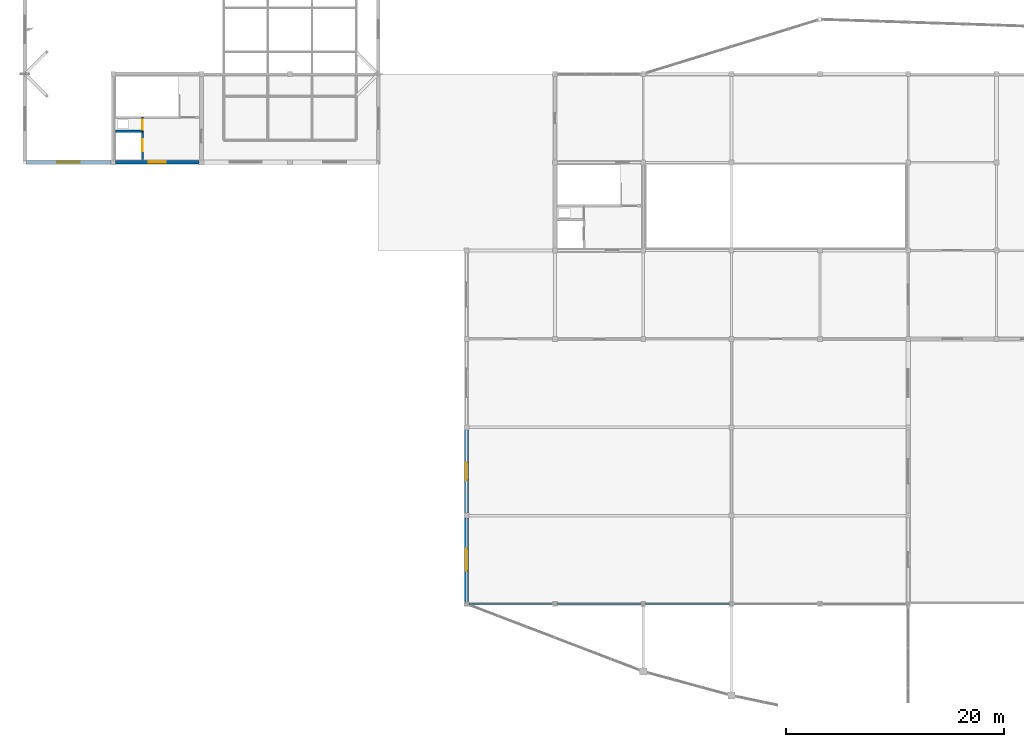
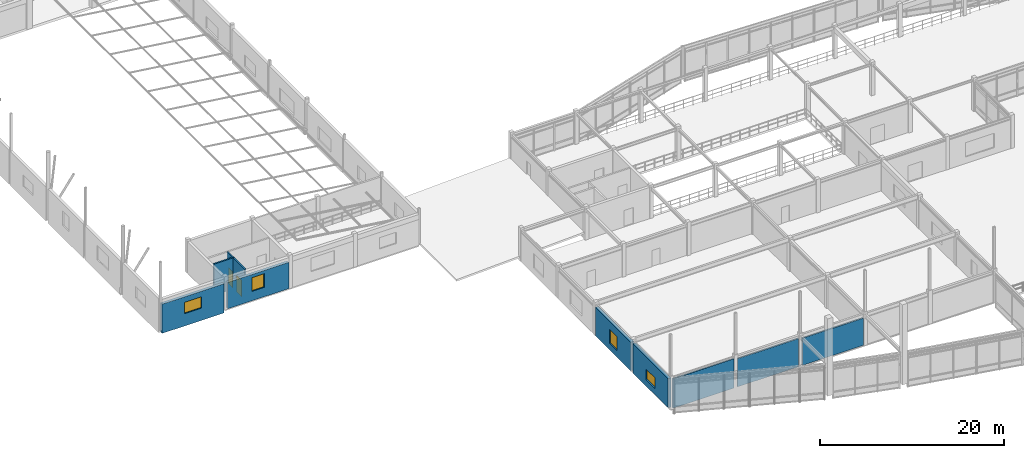
# One storey, part 63 of 89: 10 walls, 4 windows, 2 doors, 6 openings.
"""IFC4 building model written with IfcOpenShell, lengths in metres."""

from ifc_helpers import new_model, si_unit, direction, frame, frame_2d, origin, place, context, subcontext, project, spatial, rectangle, extrude, material, layer, layer_set, type_object, element, fill, save


model = new_model("IFC4")

# Units and contexts
model_context = context("Model", 3, precision=1e-05, world=origin(), true_north=direction((0.0, 1.0)))
body_context = subcontext(model_context, "Body", "Model", "MODEL_VIEW")
ifc_project = project(units=[si_unit("LENGTHUNIT", "METRE"), si_unit("AREAUNIT", "SQUARE_METRE"), si_unit("VOLUMEUNIT", "CUBIC_METRE"), si_unit("PLANEANGLEUNIT", "RADIAN"), si_unit("MASSUNIT", "GRAM", prefix="KILO")], contexts=[model_context])

# Site, building, storey
site_placement = place(None, origin())
site = spatial("IfcSite", under=ifc_project, at=site_placement, CompositionType="ELEMENT")
building_placement = place(site_placement, origin())
building = spatial("IfcBuilding", under=site, at=building_placement, Name="Vaudrelin Polytechnic", CompositionType="ELEMENT")
storey_placement = place(building_placement, frame((0.0, 0.0, 9.68994140625)))
storey = spatial("IfcBuildingStorey", under=building, at=storey_placement, Name="L02", CompositionType="ELEMENT", Elevation=9.68994140625)

# Wall, opening, window
ifc_material_1 = material(Name="Insulated precast concrete sandwich panel 40 MPa", Category="concrete")
ifc_layer_1 = layer(ifc_material_1, 0.340087890625)
ifc_layer_set_1 = layer_set([ifc_layer_1], Name="Insulated precast concrete sandwich panel 40 MPa")
wall_type_1 = type_object("IfcWallType", Name="WAL-EW-IND340", PredefinedType="STANDARD", material=ifc_layer_set_1)
wall_1_placement = place(storey_placement, frame((0.125, 40.5, -0.3798828125), z_axis=(0.0, 0.0, 1.0), x_axis=(1.0, 0.0, 0.0)))
wall_1 = element("IfcWall", 1, at=wall_1_placement, inside=storey, type_object=wall_type_1, Name="Exterior wall L02 S_V1_00", PredefinedType="STANDARD", context=body_context, shape_type="SweptSolid", body=[
    extrude(rectangle(XDim=7.751953125, YDim=0.340087890625, at=frame_2d((3.8759765625, 0.0))), origin(), (0.0, 0.0, 1.0), 3.85986328125),
])
opening_1_placement = place(wall_1_placement, frame((2.825927734375, 0.0, 1.6298828125)))
opening_1 = element("IfcOpeningElement", 2, at=opening_1_placement, cuts=wall_1, Name="Opening W-L02-S-V1-01", PredefinedType="OPENING", context=body_context, shape_type="SweptSolid", body=[
    extrude(rectangle(XDim=2.10009765625, YDim=1.5, at=frame_2d((1.050048828125, 0.75))), frame((0.0, 0.18017578125, 0.0), z_axis=(0.0, -1.0, 0.0), x_axis=(1.0, 0.0, 0.0)), (0.0, 0.0, 1.0), 0.360107421875),
])
ifc_material_2 = material(Name="Thermally broken aluminium frame with triple low-e glazing", Category="aluminium")
window_type_1 = type_object("IfcWindowType", Name="WIN-WN-05", PartitioningType="SINGLE_PANEL", PredefinedType="WINDOW", material=ifc_material_2)
window_1_placement = place(opening_1_placement, origin())
window_1 = element("IfcWindow", 3, at=window_1_placement, inside=storey, type_object=window_type_1, Name="Facade window L02-S_V1_00", OverallHeight=1.5, OverallWidth=2.10009765625, PartitioningType="SINGLE_PANEL", PredefinedType="WINDOW", context=body_context, shape_type="SweptSolid", body=[
    extrude(rectangle(XDim=2.10009765625, YDim=1.5, at=frame_2d((1.050048828125, 0.75))), frame((0.0, 0.030029296875, 0.0), z_axis=(0.0, -1.0, 0.0), x_axis=(1.0, 0.0, 0.0)), (0.0, 0.0, 1.0), 0.06005859375),
])
fill(opening_1, window_1)

wall_2_placement = place(storey_placement, frame((8.322998046875, 40.5, 0.0), z_axis=(0.0, 0.0, 1.0), x_axis=(1.0, 0.0, 0.0)))
wall_2 = element("IfcWall", 4, at=wall_2_placement, inside=storey, type_object=wall_type_1, Name="Exterior wall L02 S_V1_01", PredefinedType="STANDARD", context=body_context, shape_type="SweptSolid", body=[
    extrude(rectangle(XDim=7.654052734375, YDim=0.340087890625, at=frame_2d((3.8271484375, 0.0))), origin(), (0.0, 0.0, 1.0), 3.47998046875),
])
opening_2_placement = place(wall_2_placement, frame((3.052001953125, 0.0, 1.25)))
opening_2 = element("IfcOpeningElement", 5, at=opening_2_placement, cuts=wall_2, Name="Opening W-L02-S-V1-02", PredefinedType="OPENING", context=body_context, shape_type="SweptSolid", body=[
    extrude(rectangle(XDim=1.550048828125, YDim=1.800048828125, at=frame_2d((0.77490234375, 0.89990234375))), frame((0.0, 0.18017578125, 0.0), z_axis=(0.0, -1.0, 0.0), x_axis=(1.0, 0.0, 0.0)), (0.0, 0.0, 1.0), 0.360107421875),
])
window_type_2 = type_object("IfcWindowType", Name="WIN-WN-34", PartitioningType="SINGLE_PANEL", PredefinedType="WINDOW", material=ifc_material_2)
window_2_placement = place(opening_2_placement, origin())
window_2 = element("IfcWindow", 6, at=window_2_placement, inside=storey, type_object=window_type_2, Name="Facade window L02-S_V1_01", OverallHeight=1.800048828125, OverallWidth=1.550048828125, PartitioningType="SINGLE_PANEL", PredefinedType="WINDOW", context=body_context, shape_type="SweptSolid", body=[
    extrude(rectangle(XDim=1.550048828125, YDim=1.800048828125, at=frame_2d((0.77490234375, 0.89990234375))), frame((0.0, 0.030029296875, 0.0), z_axis=(0.0, -1.0, 0.0), x_axis=(1.0, 0.0, 0.0)), (0.0, 0.0, 1.0), 0.06005859375),
])
fill(opening_2, window_2)

ifc_material_3 = material(Name="Architectural ribbed precast concrete 40 MPa", Category="concrete")
ifc_layer_2 = layer(ifc_material_3, 0.3798828125)
ifc_layer_set_2 = layer_set([ifc_layer_2], Name="Architectural ribbed precast concrete 40 MPa")
wall_type_2 = type_object("IfcWallType", Name="WAL-EW-PREC380", PredefinedType="STANDARD", material=ifc_layer_set_2)
wall_3_placement = place(storey_placement, frame((40.5, 0.222900390625, 0.0), z_axis=(0.0, 0.0, 1.0), x_axis=(0.0, 1.0, 0.0)))
wall_3 = element("IfcWall", 7, at=wall_3_placement, inside=storey, type_object=wall_type_2, Name="Exterior wall L02 W_V2_00", PredefinedType="STANDARD", context=body_context, shape_type="SweptSolid", body=[
    extrude(rectangle(XDim=7.654052734375, YDim=0.3798828125, at=frame_2d((3.8271484375, 0.0))), origin(), (0.0, 0.0, 1.0), 3.8759765625),
])
opening_3_placement = place(wall_3_placement, frame((2.826904296875, 0.0, 0.85009765625)))
opening_3 = element("IfcOpeningElement", 8, at=opening_3_placement, cuts=wall_3, Name="Opening W-L02-W-V2-01", PredefinedType="OPENING", context=body_context, shape_type="SweptSolid", body=[
    extrude(rectangle(XDim=2.0, YDim=1.39990234375, at=frame_2d((1.0, 0.699951171875))), frame((0.0, 0.199951171875, 0.0), z_axis=(0.0, -1.0, 0.0), x_axis=(1.0, 0.0, 0.0)), (0.0, 0.0, 1.0), 0.39990234375),
])
window_type_3 = type_object("IfcWindowType", Name="WIN-WN-10", PartitioningType="SINGLE_PANEL", PredefinedType="WINDOW", material=ifc_material_2)
window_3_placement = place(opening_3_placement, origin())
window_3 = element("IfcWindow", 9, at=window_3_placement, inside=storey, type_object=window_type_3, Name="Facade window L02-W_V2_00", OverallHeight=1.39990234375, OverallWidth=2.0, PartitioningType="SINGLE_PANEL", PredefinedType="WINDOW", context=body_context, shape_type="SweptSolid", body=[
    extrude(rectangle(XDim=2.0, YDim=1.39990234375, at=frame_2d((1.0, 0.699951171875))), frame((0.0, 0.030029296875, 0.0), z_axis=(0.0, -1.0, 0.0), x_axis=(1.0, 0.0, 0.0)), (0.0, 0.0, 1.0), 0.06005859375),
])
fill(opening_3, window_3)

wall_4_placement = place(storey_placement, frame((40.5, 8.322998046875, 0.0), z_axis=(0.0, 0.0, 1.0), x_axis=(0.0, 1.0, 0.0)))
wall_4 = element("IfcWall", 10, at=wall_4_placement, inside=storey, type_object=wall_type_2, Name="Exterior wall L02 W_V2_01", PredefinedType="STANDARD", context=body_context, shape_type="SweptSolid", body=[
    extrude(rectangle(XDim=7.654052734375, YDim=0.3798828125, at=frame_2d((3.8271484375, 0.0))), origin(), (0.0, 0.0, 1.0), 3.7861328125),
])
opening_4_placement = place(wall_4_placement, frame((3.027099609375, 0.0, 0.85009765625)))
opening_4 = element("IfcOpeningElement", 11, at=opening_4_placement, cuts=wall_4, Name="Opening W-L02-W-V2-02", PredefinedType="OPENING", context=body_context, shape_type="SweptSolid", body=[
    extrude(rectangle(XDim=1.60009765625, YDim=1.85009765625, at=frame_2d((0.800048828125, 0.925048828125))), frame((0.0, 0.199951171875, 0.0), z_axis=(0.0, -1.0, 0.0), x_axis=(1.0, 0.0, 0.0)), (0.0, 0.0, 1.0), 0.39990234375),
])
window_type_4 = type_object("IfcWindowType", Name="WIN-WN-11", PartitioningType="SINGLE_PANEL", PredefinedType="WINDOW", material=ifc_material_2)
window_4_placement = place(opening_4_placement, origin())
window_4 = element("IfcWindow", 12, at=window_4_placement, inside=storey, type_object=window_type_4, Name="Facade window L02-W_V2_01", OverallHeight=1.85009765625, OverallWidth=1.60009765625, PartitioningType="SINGLE_PANEL", PredefinedType="WINDOW", context=body_context, shape_type="SweptSolid", body=[
    extrude(rectangle(XDim=1.60009765625, YDim=1.85009765625, at=frame_2d((0.800048828125, 0.925048828125))), frame((0.0, 0.030029296875, 0.0), z_axis=(0.0, -1.0, 0.0), x_axis=(1.0, 0.0, 0.0)), (0.0, 0.0, 1.0), 0.06005859375),
])
fill(opening_4, window_4)

# Walls
ifc_material_4 = material(Name="Acoustic double-stud gypsum & mineral-wool partition", Category="gypsum")
ifc_layer_3 = layer(ifc_material_4, 0.179931640625)
ifc_layer_set_3 = layer_set([ifc_layer_3], Name="Acoustic double-stud gypsum & mineral-wool partition")
wall_type_3 = type_object("IfcWallType", Name="WAL-PW-AC180", PredefinedType="PARTITIONING", material=ifc_layer_set_3)
wall_5_placement = place(storey_placement, frame((40.722900390625, 0.0, 0.0), z_axis=(0.0, 0.0, 1.0), x_axis=(1.0, 0.0, 0.0)))
element("IfcWall", 13, at=wall_5_placement, inside=storey, type_object=wall_type_3, Name="Partition L02-004 S", PredefinedType="PARTITIONING", context=body_context, shape_type="SweptSolid", body=[
    extrude(rectangle(XDim=7.654052734375, YDim=0.179931640625, at=frame_2d((3.8271484375, 0.0))), origin(), (0.0, 0.0, 1.0), 3.8759765625),
])
wall_6_placement = place(storey_placement, frame((48.822998046875, 0.0, 0.0), z_axis=(0.0, 0.0, 1.0), x_axis=(1.0, 0.0, 0.0)))
element("IfcWall", 14, at=wall_6_placement, inside=storey, type_object=wall_type_3, Name="Partition L02-004 S", PredefinedType="PARTITIONING", context=body_context, shape_type="SweptSolid", body=[
    extrude(rectangle(XDim=7.654052734375, YDim=0.179931640625, at=frame_2d((3.8271484375, 0.0))), origin(), (0.0, 0.0, 1.0), 3.72705078125),
])
wall_7_placement = place(storey_placement, frame((56.923095703125, 0.0, 0.0), z_axis=(0.0, 0.0, 1.0), x_axis=(1.0, 0.0, 0.0)))
element("IfcWall", 15, at=wall_7_placement, inside=storey, type_object=wall_type_3, Name="Partition L02-004 S", PredefinedType="PARTITIONING", context=body_context, shape_type="SweptSolid", body=[
    extrude(rectangle(XDim=7.65380859375, YDim=0.179931640625, at=frame_2d((3.826904296875, 0.0))), origin(), (0.0, 0.0, 1.0), 3.593017578125),
])

# Wall, opening, door
ifc_material_5 = material(Name="Fire-rated steel-stud gypsum compartment wall", Category="steel")
ifc_layer_4 = layer(ifc_material_5, 0.14990234375)
ifc_layer_set_4 = layer_set([ifc_layer_4], Name="Fire-rated steel-stud gypsum compartment wall")
wall_type_4 = type_object("IfcWallType", Name="WAL-PW-FIRE60", PredefinedType="PARTITIONING", material=ifc_layer_set_4)
wall_8_placement = place(storey_placement, frame((10.780029296875, 43.35009765625, 0.0), z_axis=(0.0, 0.0, 1.0), x_axis=(0.0, 1.0, 0.0)))
wall_8 = element("IfcWall", 16, at=wall_8_placement, inside=storey, type_object=wall_type_4, Name="Core C3 riser enclosure wall L02", PredefinedType="PARTITIONING", context=body_context, shape_type="SweptSolid", body=[
    extrude(rectangle(XDim=1.260009765625, YDim=0.14990234375, at=frame_2d((0.6298828125, 0.0))), origin(), (0.0, 0.0, 1.0), 4.14208984375),
])
opening_5_placement = place(wall_8_placement, frame((0.139892578125, 0.0, 0.0)))
opening_5 = element("IfcOpeningElement", 17, at=opening_5_placement, cuts=wall_8, Name="Opening D-L02-057", PredefinedType="OPENING", context=body_context, shape_type="SweptSolid", body=[
    extrude(rectangle(XDim=0.89990234375, YDim=2.14990234375, at=frame_2d((0.449951171875, 1.074951171875))), frame((0.0, 0.0849609375, 0.0), z_axis=(0.0, -1.0, 0.0), x_axis=(1.0, 0.0, 0.0)), (0.0, 0.0, 1.0), 0.169921875),
])
ifc_material_6 = material(Name="Pressed galvanised steel acoustic leaf", Category="steel")
door_type_1 = type_object("IfcDoorType", Name="DOR-ID-RSR1", OperationType="NOTDEFINED", PredefinedType="DOOR", material=ifc_material_6)
door_1_placement = place(opening_5_placement, origin())
door_1 = element("IfcDoor", 18, at=door_1_placement, inside=storey, type_object=door_type_1, Name="Core C3 riser access door L02", OperationType="SINGLE_SWING_RIGHT", OverallHeight=2.14990234375, OverallWidth=0.89990234375, PredefinedType="DOOR", context=body_context, shape_type="SweptSolid", body=[
    extrude(rectangle(XDim=0.89990234375, YDim=2.14990234375, at=frame_2d((0.449951171875, 1.074951171875))), frame((0.0, 0.02490234375, 0.0), z_axis=(0.0, -1.0, 0.0), x_axis=(1.0, 0.0, 0.0)), (0.0, 0.0, 1.0), 0.050048828125),
])
fill(opening_5, door_1)

ifc_material_7 = material(Name="Concrete 40 MPa", Category="concrete")
ifc_layer_5 = layer(ifc_material_7, 0.199951171875)
ifc_layer_set_5 = layer_set([ifc_layer_5], Name="Concrete 40 MPa")
wall_type_5 = type_object("IfcWallType", Name="WAL-SW-CORE200", PredefinedType="SHEAR", material=ifc_layer_set_5)
wall_9_placement = place(storey_placement, frame((10.780029296875, 40.75, 0.0), z_axis=(0.0, 0.0, 1.0), x_axis=(0.0, 1.0, 0.0)))
wall_9 = element("IfcWall", 19, at=wall_9_placement, inside=storey, type_object=wall_type_5, Name="Lift LF-03 shaft front wall L02", PredefinedType="SHEAR", context=body_context, shape_type="SweptSolid", body=[
    extrude(rectangle(XDim=2.60009765625, YDim=0.199951171875, at=frame_2d((1.300048828125, 0.0))), origin(), (0.0, 0.0, 1.0), 4.14208984375),
])
opening_6_placement = place(wall_9_placement, frame((0.75, 0.0, 0.0)))
opening_6 = element("IfcOpeningElement", 20, at=opening_6_placement, cuts=wall_9, Name="Opening LD-LF-03-L02", PredefinedType="OPENING", context=body_context, shape_type="SweptSolid", body=[
    extrude(rectangle(XDim=1.10009765625, YDim=2.199951171875, at=frame_2d((0.550048828125, 1.10009765625))), frame((0.0, 0.10986328125, 0.0), z_axis=(0.0, -1.0, 0.0), x_axis=(1.0, 0.0, 0.0)), (0.0, 0.0, 1.0), 0.219970703125),
])
ifc_material_8 = material(Name="Brushed stainless steel AISI 304", Category="steel")
door_type_2 = type_object("IfcDoorType", Name="DOR-LD-PAX", OperationType="SLIDING_TO_LEFT", PredefinedType="DOOR", material=ifc_material_8)
door_2_placement = place(opening_6_placement, origin())
door_2 = element("IfcDoor", 21, at=door_2_placement, inside=storey, type_object=door_type_2, Name="Lift LF-03 landing door L02", OperationType="SLIDING_TO_LEFT", OverallHeight=2.199951171875, OverallWidth=1.10009765625, PredefinedType="DOOR", context=body_context, shape_type="SweptSolid", body=[
    extrude(rectangle(XDim=1.10009765625, YDim=2.199951171875, at=frame_2d((0.550048828125, 1.10009765625))), frame((0.0, 0.02490234375, 0.0), z_axis=(0.0, -1.0, 0.0), x_axis=(1.0, 0.0, 0.0)), (0.0, 0.0, 1.0), 0.050048828125),
])
fill(opening_6, door_2)

# Wall
wall_10_placement = place(storey_placement, frame((8.320068359375, 43.35009765625, 0.0), z_axis=(0.0, 0.0, 1.0), x_axis=(1.0, 0.0, 0.0)))
element("IfcWall", 22, at=wall_10_placement, inside=storey, type_object=wall_type_5, Name="Lift LF-03 shaft north wall L02", PredefinedType="SHEAR", context=body_context, shape_type="SweptSolid", body=[
    extrude(rectangle(XDim=2.559814453125, YDim=0.199951171875, at=frame_2d((1.27978515625, 0.0))), origin(), (0.0, 0.0, 1.0), 4.14208984375),
])

save(model, "model.ifc")
